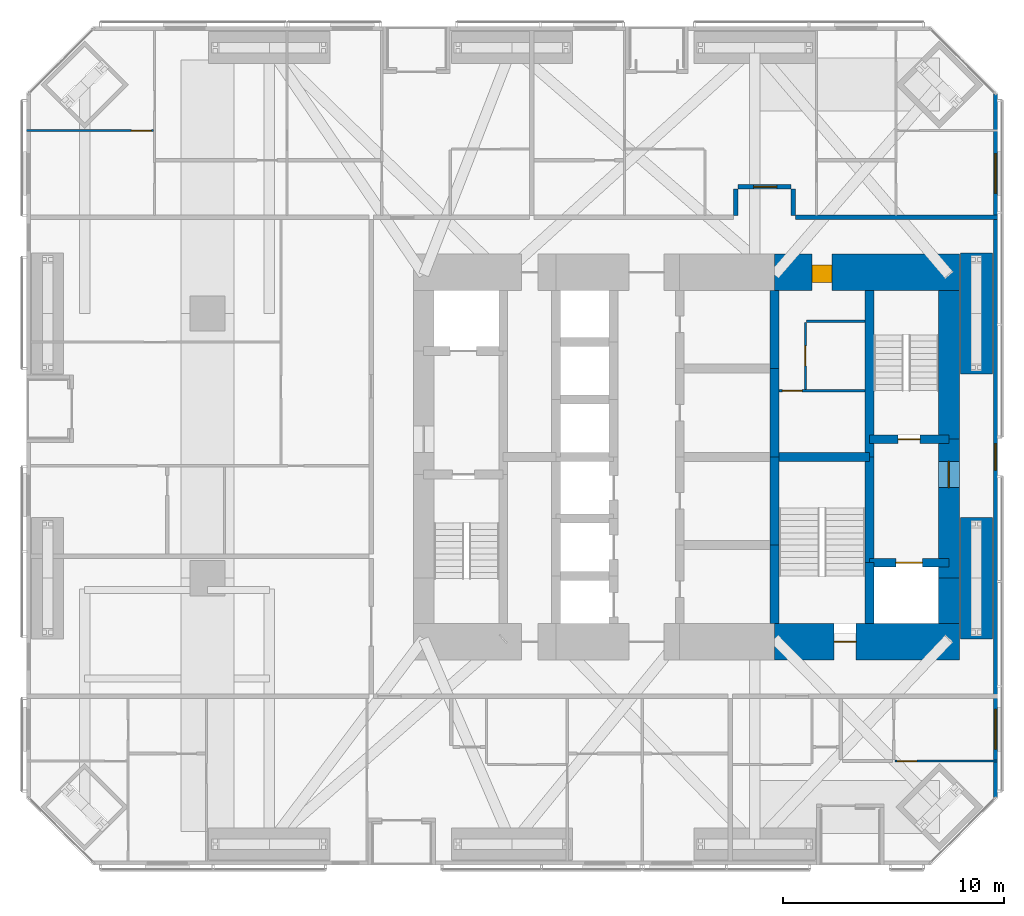
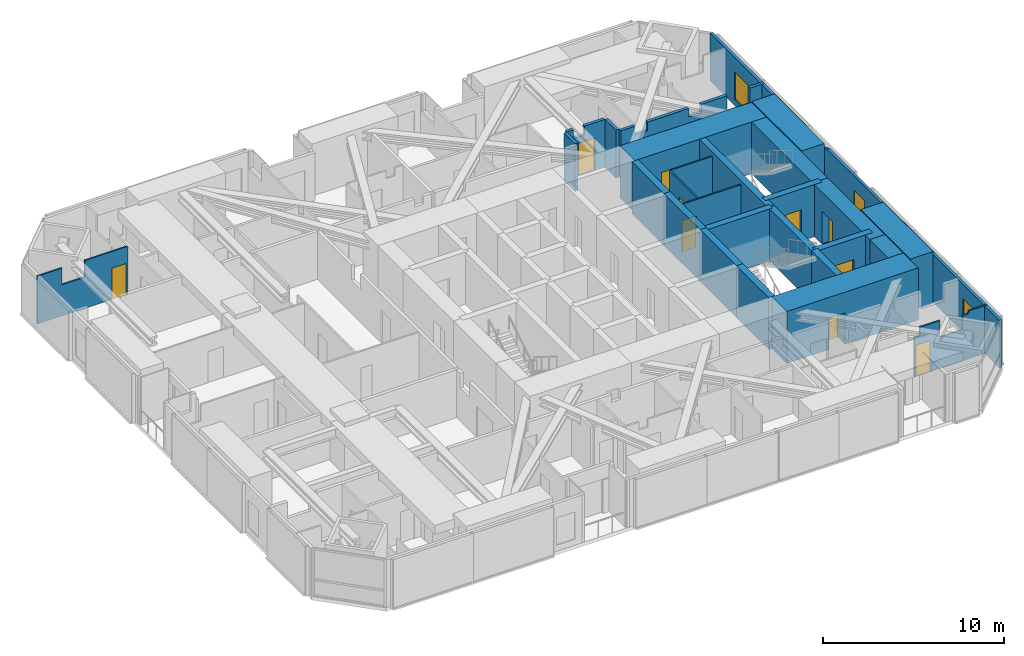
# One storey, part 19 of 22: 27 walls, 10 doors, 3 windows, 13 openings.
"""IFC4 building model written with IfcOpenShell, lengths in metres."""

from ifc_helpers import new_model, si_unit, direction, frame, frame_2d, origin, place, context, subcontext, project, spatial, polyline, rectangle, outline, extrude, material, layer, layer_set, constituent, constituent_set, type_object, element, fill, save


model = new_model("IFC4")

# Units and contexts
model_context = context("Model", 3, precision=1e-05, world=origin(), true_north=direction((0.0, 1.0)))
body_context = subcontext(model_context, "Body", "Model", "MODEL_VIEW")
ifc_project = project(units=[si_unit("LENGTHUNIT", "METRE"), si_unit("AREAUNIT", "SQUARE_METRE"), si_unit("VOLUMEUNIT", "CUBIC_METRE"), si_unit("PLANEANGLEUNIT", "RADIAN"), si_unit("MASSUNIT", "GRAM", prefix="KILO")], contexts=[model_context])

# Site, building, storey
site_placement = place(None, origin())
site = spatial("IfcSite", under=ifc_project, at=site_placement, CompositionType="ELEMENT")
building_placement = place(site_placement, origin())
building = spatial("IfcBuilding", under=site, at=building_placement, Name="Jalousie Tower", CompositionType="ELEMENT")
storey_placement = place(building_placement, frame((0.0, 0.0, 71.25)))
storey = spatial("IfcBuildingStorey", under=building, at=storey_placement, Name="L19", CompositionType="ELEMENT", Elevation=71.25)

# Wall, opening, door
ifc_material_1 = material(Name="Concrete f'c 120 MPa", Category="concrete")
ifc_layer_1 = layer(ifc_material_1, 1.64990234375)
ifc_layer_set_1 = layer_set([ifc_layer_1], Name="Concrete f'c 120 MPa")
wall_type_1 = type_object("IfcWallType", Name="CORE WALL 1650", PredefinedType="SHEAR", material=ifc_layer_set_1)
wall_1_placement = place(storey_placement, frame((35.89990234375, 10.125, 0.0), z_axis=(0.0, 0.0, 1.0), x_axis=(1.0, 0.0, 0.0)))
wall_1 = element("IfcWall", 1, at=wall_1_placement, inside=storey, type_object=wall_type_1, Name="Core wall SD L19", PredefinedType="SHEAR", context=body_context, shape_type="SweptSolid", body=[
    extrude(rectangle(XDim=8.375, YDim=1.64990234375, at=frame_2d((4.1875, 0.0))), origin(), (0.0, 0.0, 1.0), 3.5),
])
opening_1_placement = place(wall_1_placement, frame((2.699951171875, 0.0, 0.0)))
opening_1 = element("IfcOpeningElement", 2, at=opening_1_placement, cuts=wall_1, Name="Opening D10", PredefinedType="OPENING", context=body_context, shape_type="SweptSolid", body=[
    extrude(rectangle(XDim=1.0, YDim=2.10009765625, at=frame_2d((0.5, 1.050048828125))), frame((0.0, 0.8349609375, 0.0), z_axis=(0.0, -1.0, 0.0), x_axis=(1.0, 0.0, 0.0)), (0.0, 0.0, 1.0), 1.669921875),
])
ifc_material_2 = material(Name="Steel fire door", Category="steel")
door_type_1 = type_object("IfcDoorType", Name="STAIR DOOR 1000", OperationType="SINGLE_SWING_LEFT", PredefinedType="DOOR", material=ifc_material_2)
door_1_placement = place(opening_1_placement, origin())
door_1 = element("IfcDoor", 3, at=door_1_placement, inside=storey, type_object=door_type_1, Name="Exit stair C door", OperationType="SINGLE_SWING_RIGHT", OverallHeight=2.10009765625, OverallWidth=1.0, PredefinedType="DOOR", context=body_context, shape_type="SweptSolid", body=[
    extrude(rectangle(XDim=1.0, YDim=2.10009765625, at=frame_2d((0.5, 1.050048828125))), frame((0.0, 0.02490234375, 0.0), z_axis=(0.0, -1.0, 0.0), x_axis=(1.0, 0.0, 0.0)), (0.0, 0.0, 1.0), 0.050048828125),
])
fill(opening_1, door_1)

wall_2_placement = place(storey_placement, frame((44.27490234375, 26.875, 0.0), z_axis=(0.0, 0.0, 1.0), x_axis=(-1.0, 0.0, 0.0)))
wall_2 = element("IfcWall", 4, at=wall_2_placement, inside=storey, type_object=wall_type_1, Name="Core wall NA L19", PredefinedType="SHEAR", context=body_context, shape_type="SweptSolid", body=[
    extrude(rectangle(XDim=8.375, YDim=1.64990234375, at=frame_2d((4.1875, 0.0))), origin(), (0.0, 0.0, 1.0), 3.5),
])
opening_2_placement = place(wall_2_placement, frame((5.77490234375, 0.0, 0.0)))
opening_2 = element("IfcOpeningElement", 5, at=opening_2_placement, cuts=wall_2, Name="Opening D25", PredefinedType="OPENING", context=body_context, shape_type="SweptSolid", body=[
    extrude(rectangle(XDim=0.89990234375, YDim=2.10009765625, at=frame_2d((0.449951171875, 1.050048828125))), frame((0.0, 0.8349609375, 0.0), z_axis=(0.0, -1.0, 0.0), x_axis=(1.0, 0.0, 0.0)), (0.0, 0.0, 1.0), 1.669921875),
])
ifc_material_3 = material(Name="Steel fire door", Category="steel")
door_type_2 = type_object("IfcDoorType", Name="SERVICE LOBBY DOOR 900", OperationType="SINGLE_SWING_LEFT", PredefinedType="DOOR", material=ifc_material_3)
door_2_placement = place(opening_2_placement, origin())
door_2 = element("IfcDoor", 6, at=door_2_placement, inside=storey, type_object=door_type_2, Name="Service lobby door", OperationType="SINGLE_SWING_RIGHT", OverallHeight=2.10009765625, OverallWidth=0.89990234375, PredefinedType="DOOR", context=body_context, shape_type="SweptSolid", body=[
    extrude(rectangle(XDim=0.89990234375, YDim=2.10009765625, at=frame_2d((0.449951171875, 1.050048828125))), frame((0.0, 0.47021484375, 0.0), z_axis=(0.0, -1.0, 0.0), x_axis=(1.0, 0.0, 0.0)), (0.0, 0.0, 1.0), 0.800048828125),
])
fill(opening_2, door_2)

# Walls
ifc_material_4 = material(Name="Concrete f'c 120 MPa", Category="concrete")
ifc_layer_2 = layer(ifc_material_4, 0.39990234375)
ifc_layer_set_2 = layer_set([ifc_layer_2], Name="Concrete f'c 120 MPa")
wall_type_2 = type_object("IfcWallType", Name="CORE WALL 400", PredefinedType="SHEAR", material=ifc_layer_set_2)
wall_3_placement = place(storey_placement, frame((35.89990234375, 10.949951171875, 0.0), z_axis=(0.0, 0.0, 1.0), x_axis=(0.0, 1.0, 0.0)))
element("IfcWall", 7, at=wall_3_placement, inside=storey, type_object=wall_type_2, Name="Core wall X35.9A L19", PredefinedType="SHEAR", context=body_context, shape_type="SweptSolid", body=[
    extrude(rectangle(XDim=3.550048828125, YDim=0.39990234375, at=frame_2d((1.77490234375, 0.0))), origin(), (0.0, 0.0, 1.0), 3.5),
])
for number, where, z_axis, x_axis, name in (
    (8, (35.89990234375, 14.5, 0.0), (0.0, 0.0, 1.0), (0.0, 1.0, 0.0), "Core wall X35.9B L19"),
    (9, (35.89990234375, 18.5, 0.0), (0.0, 0.0, 1.0), (0.0, 1.0, 0.0), "Core wall X35.9C L19"),
):
    element("IfcWall", number, at=place(storey_placement, frame(where, z_axis=z_axis, x_axis=x_axis)), inside=storey, type_object=wall_type_2, Name=name, PredefinedType="SHEAR", context=body_context, shape_type="SweptSolid", body=[
        extrude(rectangle(XDim=4.0, YDim=0.39990234375, at=frame_2d((2.0, 0.0))), origin(), (0.0, 0.0, 1.0), 3.5),
    ])
wall_4_placement = place(storey_placement, frame((35.89990234375, 22.5, 0.0), z_axis=(0.0, 0.0, 1.0), x_axis=(0.0, 1.0, 0.0)))
element("IfcWall", 10, at=wall_4_placement, inside=storey, type_object=wall_type_2, Name="Core wall X35.9D L19", PredefinedType="SHEAR", context=body_context, shape_type="SweptSolid", body=[
    extrude(rectangle(XDim=3.550048828125, YDim=0.39990234375, at=frame_2d((1.77490234375, 0.0))), origin(), (0.0, 0.0, 1.0), 3.5),
])
wall_5_placement = place(storey_placement, frame((40.199951171875, 10.949951171875, 0.0), z_axis=(0.0, 0.0, 1.0), x_axis=(0.0, 1.0, 0.0)))
element("IfcWall", 11, at=wall_5_placement, inside=storey, type_object=wall_type_2, Name="Core wall X40.2A L19", PredefinedType="SHEAR", context=body_context, shape_type="SweptSolid", body=[
    extrude(rectangle(XDim=2.75, YDim=0.39990234375, at=frame_2d((1.375, 0.0))), origin(), (0.0, 0.0, 1.0), 3.5),
])
wall_6_placement = place(storey_placement, frame((40.199951171875, 13.699951171875, 0.0), z_axis=(0.0, 0.0, 1.0), x_axis=(0.0, 1.0, 0.0)))
element("IfcWall", 12, at=wall_6_placement, inside=storey, type_object=wall_type_2, Name="Core wall X40.2B L19", PredefinedType="SHEAR", context=body_context, shape_type="SweptSolid", body=[
    extrude(rectangle(XDim=4.800048828125, YDim=0.39990234375, at=frame_2d((2.39990234375, 0.0))), origin(), (0.0, 0.0, 1.0), 3.5),
])
wall_7_placement = place(storey_placement, frame((40.199951171875, 18.5, 0.0), z_axis=(0.0, 0.0, 1.0), x_axis=(0.0, 1.0, 0.0)))
element("IfcWall", 13, at=wall_7_placement, inside=storey, type_object=wall_type_2, Name="Core wall X40.2C L19", PredefinedType="SHEAR", context=body_context, shape_type="SweptSolid", body=[
    extrude(rectangle(XDim=7.550048828125, YDim=0.39990234375, at=frame_2d((3.77490234375, 0.0))), origin(), (0.0, 0.0, 1.0), 3.5),
])
wall_8_placement = place(storey_placement, frame((35.89990234375, 18.5, 0.0), z_axis=(0.0, 0.0, 1.0), x_axis=(1.0, 0.0, 0.0)))
element("IfcWall", 14, at=wall_8_placement, inside=storey, type_object=wall_type_2, Name="Core wall Y35.9-18.5 L19", PredefinedType="SHEAR", context=body_context, shape_type="SweptSolid", body=[
    extrude(rectangle(XDim=4.300048828125, YDim=0.39990234375, at=frame_2d((2.14990234375, 0.0))), origin(), (0.0, 0.0, 1.0), 3.5),
])

# Wall, opening, door
wall_9_placement = place(storey_placement, frame((40.199951171875, 13.699951171875, 0.0), z_axis=(0.0, 0.0, 1.0), x_axis=(1.0, 0.0, 0.0)))
wall_9 = element("IfcWall", 15, at=wall_9_placement, inside=storey, type_object=wall_type_2, Name="Core wall Y40.2-13.7 L19", PredefinedType="SHEAR", context=body_context, shape_type="SweptSolid", body=[
    extrude(rectangle(XDim=3.60009765625, YDim=0.39990234375, at=frame_2d((1.800048828125, 0.0))), origin(), (0.0, 0.0, 1.0), 3.5),
])
opening_3_placement = place(wall_9_placement, frame((1.199951171875, 0.0, 0.0)))
opening_3 = element("IfcOpeningElement", 16, at=opening_3_placement, cuts=wall_9, Name="Opening LD2", PredefinedType="OPENING", context=body_context, shape_type="SweptSolid", body=[
    extrude(rectangle(XDim=1.199951171875, YDim=2.10009765625, at=frame_2d((0.60009765625, 1.050048828125))), frame((0.0, 0.2099609375, 0.0), z_axis=(0.0, -1.0, 0.0), x_axis=(1.0, 0.0, 0.0)), (0.0, 0.0, 1.0), 0.419921875),
])
ifc_material_5 = material(Name="Steel lift landing door", Category="steel")
door_type_3 = type_object("IfcDoorType", Name="LIFT LANDING DOOR 1200", OperationType="SLIDING_TO_LEFT", PredefinedType="DOOR", material=ifc_material_5)
door_3_placement = place(opening_3_placement, origin())
door_3 = element("IfcDoor", 17, at=door_3_placement, inside=storey, type_object=door_type_3, Name="Lift F2 landing door", OperationType="SLIDING_TO_LEFT", OverallHeight=2.10009765625, OverallWidth=1.199951171875, PredefinedType="DOOR", context=body_context, shape_type="SweptSolid", body=[
    extrude(rectangle(XDim=1.199951171875, YDim=2.10009765625, at=frame_2d((0.60009765625, 1.050048828125))), frame((0.0, 0.02490234375, 0.0), z_axis=(0.0, -1.0, 0.0), x_axis=(1.0, 0.0, 0.0)), (0.0, 0.0, 1.0), 0.050048828125),
])
fill(opening_3, door_3)

wall_10_placement = place(storey_placement, frame((40.199951171875, 19.300048828125, 0.0), z_axis=(0.0, 0.0, 1.0), x_axis=(1.0, 0.0, 0.0)))
wall_10 = element("IfcWall", 18, at=wall_10_placement, inside=storey, type_object=wall_type_2, Name="Core wall Y40.2-19.3 L19", PredefinedType="SHEAR", context=body_context, shape_type="SweptSolid", body=[
    extrude(rectangle(XDim=3.60009765625, YDim=0.39990234375, at=frame_2d((1.800048828125, 0.0))), origin(), (0.0, 0.0, 1.0), 3.5),
])
opening_4_placement = place(wall_10_placement, frame((1.300048828125, 0.0, 0.0)))
opening_4 = element("IfcOpeningElement", 19, at=opening_4_placement, cuts=wall_10, Name="Opening D10", PredefinedType="OPENING", context=body_context, shape_type="SweptSolid", body=[
    extrude(rectangle(XDim=1.0, YDim=2.10009765625, at=frame_2d((0.5, 1.050048828125))), frame((0.0, 0.2099609375, 0.0), z_axis=(0.0, -1.0, 0.0), x_axis=(1.0, 0.0, 0.0)), (0.0, 0.0, 1.0), 0.419921875),
])
door_4_placement = place(opening_4_placement, origin())
door_4 = element("IfcDoor", 20, at=door_4_placement, inside=storey, type_object=door_type_1, Name="Exit stair B door", OperationType="SINGLE_SWING_RIGHT", OverallHeight=2.10009765625, OverallWidth=1.0, PredefinedType="DOOR", context=body_context, shape_type="SweptSolid", body=[
    extrude(rectangle(XDim=1.0, YDim=2.10009765625, at=frame_2d((0.5, 1.050048828125))), frame((0.0, 0.02490234375, 0.0), z_axis=(0.0, -1.0, 0.0), x_axis=(1.0, 0.0, 0.0)), (0.0, 0.0, 1.0), 0.050048828125),
])
fill(opening_4, door_4)

# Wall
ifc_material_6 = material(Name="Concrete f'c 120 MPa", Category="concrete")
ifc_layer_3 = layer(ifc_material_6, 0.949951171875)
ifc_layer_set_3 = layer_set([ifc_layer_3], Name="Concrete f'c 120 MPa")
wall_type_3 = type_object("IfcWallType", Name="CORE WALL 950", PredefinedType="SHEAR", material=ifc_layer_set_3)
wall_11_placement = place(storey_placement, frame((43.800048828125, 10.949951171875, 0.0), z_axis=(0.0, 0.0, 1.0), x_axis=(0.0, 1.0, 0.0)))
element("IfcWall", 21, at=wall_11_placement, inside=storey, type_object=wall_type_3, Name="Core wall EA L19", PredefinedType="SHEAR", context=body_context, shape_type="SweptSolid", body=[
    extrude(rectangle(XDim=2.050048828125, YDim=0.949951171875, at=frame_2d((1.02490234375, 0.0))), origin(), (0.0, 0.0, 1.0), 3.5),
])

# Wall, opening, door
wall_12_placement = place(storey_placement, frame((43.800048828125, 13.0, 0.0), z_axis=(0.0, 0.0, 1.0), x_axis=(0.0, 1.0, 0.0)))
wall_12 = element("IfcWall", 22, at=wall_12_placement, inside=storey, type_object=wall_type_3, Name="Core wall EB L19", PredefinedType="SHEAR", context=body_context, shape_type="SweptSolid", body=[
    extrude(rectangle(XDim=6.300048828125, YDim=0.949951171875, at=frame_2d((3.14990234375, 0.0))), origin(), (0.0, 0.0, 1.0), 3.5),
])
opening_5_placement = place(wall_12_placement, frame((4.10009765625, 0.0, 0.0)))
opening_5 = element("IfcOpeningElement", 23, at=opening_5_placement, cuts=wall_12, Name="Opening D11", PredefinedType="OPENING", context=body_context, shape_type="SweptSolid", body=[
    extrude(rectangle(XDim=1.199951171875, YDim=2.199951171875, at=frame_2d((0.60009765625, 1.10009765625))), frame((0.0, 0.48486328125, 0.0), z_axis=(0.0, -1.0, 0.0), x_axis=(1.0, 0.0, 0.0)), (0.0, 0.0, 1.0), 0.969970703125),
])
ifc_material_7 = material(Name="Steel fire door", Category="steel")
door_type_4 = type_object("IfcDoorType", Name="FIRE DOOR 1200", OperationType="SINGLE_SWING_LEFT", PredefinedType="DOOR", material=ifc_material_7)
door_5_placement = place(opening_5_placement, origin())
door_5 = element("IfcDoor", 24, at=door_5_placement, inside=storey, type_object=door_type_4, Name="Fire-fighting lobby B door", OperationType="SINGLE_SWING_RIGHT", OverallHeight=2.199951171875, OverallWidth=1.199951171875, PredefinedType="DOOR", context=body_context, shape_type="SweptSolid", body=[
    extrude(rectangle(XDim=1.199951171875, YDim=2.199951171875, at=frame_2d((0.60009765625, 1.10009765625))), frame((0.0, 0.02490234375, 0.0), z_axis=(0.0, -1.0, 0.0), x_axis=(1.0, 0.0, 0.0)), (0.0, 0.0, 1.0), 0.050048828125),
])
fill(opening_5, door_5)

# Walls
wall_13_placement = place(storey_placement, frame((43.800048828125, 19.300048828125, 0.0), z_axis=(0.0, 0.0, 1.0), x_axis=(0.0, 1.0, 0.0)))
element("IfcWall", 25, at=wall_13_placement, inside=storey, type_object=wall_type_3, Name="Core wall EC L19", PredefinedType="SHEAR", context=body_context, shape_type="SweptSolid", body=[
    extrude(rectangle(XDim=6.75, YDim=0.949951171875, at=frame_2d((3.375, 0.0))), origin(), (0.0, 0.0, 1.0), 3.5),
])
ifc_material_8 = material(Name="Concrete block ASTM C90", Category="concrete")
ifc_constituent_1 = constituent(ifc_material_8, Name="Body")
ifc_material_9 = material(Name="Render")
ifc_constituent_2 = constituent(ifc_material_9, Name="Finish")
ifc_constituent_set_1 = constituent_set(constituents=[ifc_constituent_1, ifc_constituent_2])
wall_type_4 = type_object("IfcWallType", Name="CORRIDOR WALL 200", PredefinedType="PARTITIONING", material=ifc_constituent_set_1)
wall_14_placement = place(storey_placement, frame((36.85009765625, 29.35009765625, 0.0), z_axis=(0.0, 0.0, 1.0), x_axis=(1.0, 0.0, 0.0)))
element("IfcWall", 26, at=wall_14_placement, inside=storey, type_object=wall_type_4, Name="Corridor Wall 200 L19", PredefinedType="PARTITIONING", context=body_context, shape_type="SweptSolid", body=[
    extrude(outline(polyline([(0.0, 0.0), (9.14990234375, 0.0), (9.14990234375, 3.219970703125), (8.219970703125, 3.219970703125), (8.219970703125, 2.10009765625), (6.769287109375, 2.10009765625), (6.769287109375, 3.219970703125), (5.124755859375, 3.219970703125), (5.124755859375, 2.640869140625), (4.33251953125, 2.640869140625), (4.33251953125, 3.219970703125), (1.702392578125, 3.219970703125), (1.702392578125, 2.640869140625), (0.90380859375, 2.640869140625), (0.90380859375, 3.219970703125), (0.0, 3.219970703125), (0.0, 0.0)])), frame((0.0, 0.10009765625, 0.0), z_axis=(0.0, -1.0, 0.0), x_axis=(1.0, 0.0, 0.0)), (0.0, 0.0, 1.0), 0.199951171875),
])

# Wall, opening, door
wall_15_placement = place(storey_placement, frame((34.25, 30.75, 0.0), z_axis=(0.0, 0.0, 1.0), x_axis=(1.0, 0.0, 0.0)))
wall_15 = element("IfcWall", 27, at=wall_15_placement, inside=storey, type_object=wall_type_4, Name="Corridor Wall 200 L19", PredefinedType="PARTITIONING", context=body_context, shape_type="SweptSolid", body=[
    extrude(outline(polyline([(0.0, 0.0), (2.39990234375, 0.0), (2.39990234375, 3.219970703125), (1.098876953125, 3.219970703125), (1.098876953125, 2.62060546875), (0.401123046875, 2.62060546875), (0.401123046875, 3.219970703125), (0.0, 3.219970703125), (0.0, 0.0)])), frame((0.0, 0.10009765625, 0.0), z_axis=(0.0, -1.0, 0.0), x_axis=(1.0, 0.0, 0.0)), (0.0, 0.0, 1.0), 0.199951171875),
])
opening_6_placement = place(wall_15_placement, frame((0.699951171875, 0.0, 0.0)))
opening_6 = element("IfcOpeningElement", 28, at=opening_6_placement, cuts=wall_15, Name="Opening D1", PredefinedType="OPENING", context=body_context, shape_type="SweptSolid", body=[
    extrude(rectangle(XDim=1.050048828125, YDim=2.199951171875, at=frame_2d((0.52490234375, 1.10009765625))), frame((0.0, 0.10986328125, 0.0), z_axis=(0.0, -1.0, 0.0), x_axis=(1.0, 0.0, 0.0)), (0.0, 0.0, 1.0), 0.219970703125),
])
ifc_material_10 = material(Name="Timber fire door", Category="wood")
door_type_5 = type_object("IfcDoorType", Name="APARTMENT ENTRANCE DOOR 1050", OperationType="SINGLE_SWING_LEFT", PredefinedType="DOOR", material=ifc_material_10)
door_6_placement = place(opening_6_placement, origin())
door_6 = element("IfcDoor", 29, at=door_6_placement, inside=storey, type_object=door_type_5, Name="Apartment 1904 entrance", OperationType="SINGLE_SWING_RIGHT", OverallHeight=2.199951171875, OverallWidth=1.050048828125, PredefinedType="DOOR", context=body_context, shape_type="SweptSolid", body=[
    extrude(rectangle(XDim=1.050048828125, YDim=2.199951171875, at=frame_2d((0.52490234375, 1.10009765625))), frame((0.0, 0.02490234375, 0.0), z_axis=(0.0, -1.0, 0.0), x_axis=(1.0, 0.0, 0.0)), (0.0, 0.0, 1.0), 0.050048828125),
])
fill(opening_6, door_6)

# Walls
for number, where, z_axis, x_axis, name in (
    (30, (34.14990234375, 29.449951171875, 0.0), (0.0, 0.0, 1.0), (0.0, 1.0, 0.0), "Corridor Wall 200 L19"),
    (31, (36.75, 29.449951171875, 0.0), (0.0, 0.0, 1.0), (0.0, 1.0, 0.0), "Corridor Wall 200 L19"),
):
    element("IfcWall", number, at=place(storey_placement, frame(where, z_axis=z_axis, x_axis=x_axis)), inside=storey, type_object=wall_type_4, Name=name, PredefinedType="PARTITIONING", context=body_context, shape_type="SweptSolid", body=[
        extrude(rectangle(XDim=1.199951171875, YDim=0.199951171875, at=frame_2d((0.60009765625, 0.0))), origin(), (0.0, 0.0, 1.0), 3.219970703125),
    ])

# Wall, openings, windows
ifc_material_11 = material(Name="Concrete f'c 40 MPa", Category="concrete")
ifc_constituent_3 = constituent(ifc_material_11, Name="Body")
ifc_material_12 = material(Name="Render, pastel coral")
ifc_constituent_4 = constituent(ifc_material_12, Name="Finish")
ifc_constituent_set_2 = constituent_set(constituents=[ifc_constituent_3, ifc_constituent_4])
wall_type_5 = type_object("IfcWallType", Name="EXTERNAL WALL 175 CORAL RENDER", PredefinedType="SOLIDWALL", material=ifc_constituent_set_2)
wall_16_placement = place(storey_placement, frame((45.91259765625, 3.05126953125, 0.0), z_axis=(0.0, 0.0, 1.0), x_axis=(0.0, 1.0, 0.0)))
wall_16 = element("IfcWall", 32, at=wall_16_placement, inside=storey, type_object=wall_type_5, Name="External Wall 175 Coral Render L19", PredefinedType="SOLIDWALL", context=body_context, shape_type="SweptSolid", body=[
    extrude(outline(polyline([(0.0, 0.0), (31.8974609375, 0.0), (31.8974609375, 3.219970703125), (21.4951171875, 3.219970703125), (21.4951171875, 2.25634765625), (18.9931640625, 3.219970703125), (0.0, 3.219970703125), (0.0, 0.0)])), frame((0.0, 0.08740234375, 0.0), z_axis=(0.0, -1.0, 0.0), x_axis=(1.0, 0.0, 0.0)), (0.0, 0.0, 1.0), 0.175048828125),
])
opening_7_placement = place(wall_16_placement, frame((2.204345703125, 0.0, 0.39990234375)))
opening_7 = element("IfcOpeningElement", 33, at=opening_7_placement, cuts=wall_16, Name="Opening W-BED185", PredefinedType="OPENING", context=body_context, shape_type="SweptSolid", body=[
    extrude(rectangle(XDim=1.800048828125, YDim=1.85009765625, at=frame_2d((0.89990234375, 0.925048828125))), frame((0.0, 0.097412109375, 0.0), z_axis=(0.0, -1.0, 0.0), x_axis=(1.0, 0.0, 0.0)), (0.0, 0.0, 1.0), 0.195068359375),
])
opening_8_placement = place(wall_16_placement, frame((14.8486328125, 0.0, 0.39990234375)))
opening_8 = element("IfcOpeningElement", 34, at=opening_8_placement, cuts=wall_16, Name="Opening W-COR185", PredefinedType="OPENING", context=body_context, shape_type="SweptSolid", body=[
    extrude(rectangle(XDim=1.199951171875, YDim=1.85009765625, at=frame_2d((0.60009765625, 0.925048828125))), frame((0.0, 0.097412109375, 0.0), z_axis=(0.0, -1.0, 0.0), x_axis=(1.0, 0.0, 0.0)), (0.0, 0.0, 1.0), 0.195068359375),
])
opening_9_placement = place(wall_16_placement, frame((27.39306640625, 0.0, 0.39990234375)))
opening_9 = element("IfcOpeningElement", 35, at=opening_9_placement, cuts=wall_16, Name="Opening W-BED185", PredefinedType="OPENING", context=body_context, shape_type="SweptSolid", body=[
    extrude(rectangle(XDim=1.800048828125, YDim=1.85009765625, at=frame_2d((0.89990234375, 0.925048828125))), frame((0.0, 0.097412109375, 0.0), z_axis=(0.0, -1.0, 0.0), x_axis=(1.0, 0.0, 0.0)), (0.0, 0.0, 1.0), 0.195068359375),
])
ifc_material_13 = material(Name="Aluminium frame, impact-rated glazing", Category="aluminium")
window_type_1 = type_object("IfcWindowType", Name="WINDOW BED 1800x1850", PartitioningType="SINGLE_PANEL", PredefinedType="WINDOW", material=ifc_material_13)
window_1_placement = place(opening_7_placement, origin())
window_1 = element("IfcWindow", 36, at=window_1_placement, inside=storey, type_object=window_type_1, Name="Apartment 1902 bedroom 1 window", OverallHeight=1.85009765625, OverallWidth=1.800048828125, PartitioningType="SINGLE_PANEL", PredefinedType="WINDOW", context=body_context, shape_type="SweptSolid", body=[
    extrude(rectangle(XDim=1.800048828125, YDim=1.85009765625, at=frame_2d((0.89990234375, 0.925048828125))), frame((0.0, 0.030029296875, 0.0), z_axis=(0.0, -1.0, 0.0), x_axis=(1.0, 0.0, 0.0)), (0.0, 0.0, 1.0), 0.06005859375),
])
fill(opening_7, window_1)
window_2_placement = place(opening_9_placement, origin())
window_2 = element("IfcWindow", 37, at=window_2_placement, inside=storey, type_object=window_type_1, Name="Apartment 1904 bedroom 3 window", OverallHeight=1.85009765625, OverallWidth=1.800048828125, PartitioningType="SINGLE_PANEL", PredefinedType="WINDOW", context=body_context, shape_type="SweptSolid", body=[
    extrude(rectangle(XDim=1.800048828125, YDim=1.85009765625, at=frame_2d((0.89990234375, 0.925048828125))), frame((0.0, 0.030029296875, 0.0), z_axis=(0.0, -1.0, 0.0), x_axis=(1.0, 0.0, 0.0)), (0.0, 0.0, 1.0), 0.06005859375),
])
fill(opening_9, window_2)
ifc_material_14 = material(Name="Aluminium frame, impact-rated glazing", Category="aluminium")
window_type_2 = type_object("IfcWindowType", Name="WINDOW COR 1200x1850", PartitioningType="SINGLE_PANEL", PredefinedType="WINDOW", material=ifc_material_14)
window_3_placement = place(opening_8_placement, origin())
window_3 = element("IfcWindow", 38, at=window_3_placement, inside=storey, type_object=window_type_2, Name="Corridor window", OverallHeight=1.85009765625, OverallWidth=1.199951171875, PartitioningType="SINGLE_PANEL", PredefinedType="WINDOW", context=body_context, shape_type="SweptSolid", body=[
    extrude(rectangle(XDim=1.199951171875, YDim=1.85009765625, at=frame_2d((0.60009765625, 0.925048828125))), frame((0.0, 0.030029296875, 0.0), z_axis=(0.0, -1.0, 0.0), x_axis=(1.0, 0.0, 0.0)), (0.0, 0.0, 1.0), 0.06005859375),
])
fill(opening_8, window_3)

# Wall, opening, door
ifc_material_15 = material(Name="Gypsum board", Category="gypsum")
ifc_constituent_5 = constituent(ifc_material_15, Name="Body")
ifc_material_16 = material(Name="Light-gauge steel studs ASTM A653 SS Grade 33", Category="steel")
ifc_constituent_6 = constituent(ifc_material_16, Name="Framing")
ifc_constituent_set_3 = constituent_set(constituents=[ifc_constituent_5, ifc_constituent_6])
wall_type_6 = type_object("IfcWallType", Name="PARTITION 100", PredefinedType="PARTITIONING", material=ifc_constituent_set_3)
wall_17_placement = place(storey_placement, frame((41.35009765625, 4.711181640625, 0.0), z_axis=(0.0, 0.0, 1.0), x_axis=(1.0, 0.0, 0.0)))
wall_17 = element("IfcWall", 39, at=wall_17_placement, inside=storey, type_object=wall_type_6, Name="Partition 100 L19", PredefinedType="PARTITIONING", context=body_context, shape_type="SweptSolid", body=[
    extrude(outline(polyline([(0.0, 0.0), (4.64990234375, 0.0), (4.64990234375, 3.219970703125), (3.470703125, 3.219970703125), (3.470703125, 3.10400390625), (3.433349609375, 3.05224609375), (3.072998046875, 3.00341796875), (3.072998046875, 2.10009765625), (1.638671875, 2.10009765625), (1.638671875, 3.219970703125), (0.359375, 3.219970703125), (0.359375, 2.640869140625), (0.0, 2.640869140625), (0.0, 0.0)])), frame((0.0, 0.050048828125, 0.0), z_axis=(0.0, -1.0, 0.0), x_axis=(1.0, 0.0, 0.0)), (0.0, 0.0, 1.0), 0.10009765625),
])
opening_10_placement = place(wall_17_placement, frame((0.10009765625, 0.0, 0.0)))
opening_10 = element("IfcOpeningElement", 40, at=opening_10_placement, cuts=wall_17, Name="Opening D2", PredefinedType="OPENING", context=body_context, shape_type="SweptSolid", body=[
    extrude(rectangle(XDim=0.89990234375, YDim=2.10009765625, at=frame_2d((0.449951171875, 1.050048828125))), frame((0.0, 0.06005859375, 0.0), z_axis=(0.0, -1.0, 0.0), x_axis=(1.0, 0.0, 0.0)), (0.0, 0.0, 1.0), 0.1201171875),
])
ifc_material_17 = material(Name="Timber door", Category="wood")
door_type_6 = type_object("IfcDoorType", Name="BEDROOM DOOR 900", OperationType="SINGLE_SWING_LEFT", PredefinedType="DOOR", material=ifc_material_17)
door_7_placement = place(opening_10_placement, origin())
door_7 = element("IfcDoor", 41, at=door_7_placement, inside=storey, type_object=door_type_6, Name="Apartment 1902 bedroom 1 door", OperationType="SINGLE_SWING_LEFT", OverallHeight=2.10009765625, OverallWidth=0.89990234375, PredefinedType="DOOR", context=body_context, shape_type="SweptSolid", body=[
    extrude(rectangle(XDim=0.89990234375, YDim=2.10009765625, at=frame_2d((0.449951171875, 1.050048828125))), frame((0.0, 0.02490234375, 0.0), z_axis=(0.0, -1.0, 0.0), x_axis=(1.0, 0.0, 0.0)), (0.0, 0.0, 1.0), 0.050048828125),
])
fill(opening_10, door_7)

wall_18_placement = place(storey_placement, frame((2.0, 33.288818359375, 0.0), z_axis=(0.0, 0.0, 1.0), x_axis=(1.0, 0.0, 0.0)))
wall_18 = element("IfcWall", 42, at=wall_18_placement, inside=storey, type_object=wall_type_6, Name="Partition 100 L19", PredefinedType="PARTITIONING", context=body_context, shape_type="SweptSolid", body=[
    extrude(outline(polyline([(0.0, 0.0), (5.75, 0.0), (5.75, 3.219970703125), (3.011474609375, 3.219970703125), (3.011474609375, 2.10009765625), (1.576904296875, 2.10009765625), (1.576904296875, 3.219970703125), (0.0, 3.219970703125), (0.0, 0.0)])), frame((0.0, 0.050048828125, 0.0), z_axis=(0.0, -1.0, 0.0), x_axis=(1.0, 0.0, 0.0)), (0.0, 0.0, 1.0), 0.10009765625),
])
opening_11_placement = place(wall_18_placement, frame((4.75, 0.0, 0.0)))
opening_11 = element("IfcOpeningElement", 43, at=opening_11_placement, cuts=wall_18, Name="Opening D7", PredefinedType="OPENING", context=body_context, shape_type="SweptSolid", body=[
    extrude(rectangle(XDim=0.89990234375, YDim=2.10009765625, at=frame_2d((0.449951171875, 1.050048828125))), frame((0.0, 0.06005859375, 0.0), z_axis=(0.0, -1.0, 0.0), x_axis=(1.0, 0.0, 0.0)), (0.0, 0.0, 1.0), 0.1201171875),
])
ifc_material_18 = material(Name="Timber door", Category="wood")
door_type_7 = type_object("IfcDoorType", Name="INTERNAL DOOR 900", OperationType="SINGLE_SWING_LEFT", PredefinedType="DOOR", material=ifc_material_18)
door_8_placement = place(opening_11_placement, frame((0.89990234375, 0.0, 0.0), z_axis=(0.0, 0.0, 1.0), x_axis=(-1.0, 0.0, 0.0)))
door_8 = element("IfcDoor", 44, at=door_8_placement, inside=storey, type_object=door_type_7, Name="Apartment 1903 bedroom 1 dressing hall door", OperationType="SINGLE_SWING_LEFT", OverallHeight=2.10009765625, OverallWidth=0.89990234375, PredefinedType="DOOR", context=body_context, shape_type="SweptSolid", body=[
    extrude(rectangle(XDim=0.89990234375, YDim=2.10009765625, at=frame_2d((0.449951171875, 1.050048828125))), frame((0.0, 0.02490234375, 0.0), z_axis=(0.0, -1.0, 0.0), x_axis=(1.0, 0.0, 0.0)), (0.0, 0.0, 1.0), 0.050048828125),
])
fill(opening_11, door_8)

# Wall
wall_19_placement = place(storey_placement, frame((37.35009765625, 24.64990234375, 0.0), z_axis=(0.0, 0.0, 1.0), x_axis=(1.0, 0.0, 0.0)))
element("IfcWall", 45, at=wall_19_placement, inside=storey, type_object=wall_type_6, Name="Partition 100 L19", PredefinedType="PARTITIONING", context=body_context, shape_type="SweptSolid", body=[
    extrude(rectangle(XDim=2.64990234375, YDim=0.10009765625, at=frame_2d((1.324951171875, 0.0))), origin(), (0.0, 0.0, 1.0), 3.219970703125),
])

# Wall, opening, door
wall_20_placement = place(storey_placement, frame((37.300048828125, 21.550048828125, 0.0), z_axis=(0.0, 0.0, 1.0), x_axis=(0.0, 1.0, 0.0)))
wall_20 = element("IfcWall", 46, at=wall_20_placement, inside=storey, type_object=wall_type_6, Name="Partition 100 L19", PredefinedType="PARTITIONING", context=body_context, shape_type="SweptSolid", body=[
    extrude(rectangle(XDim=3.050048828125, YDim=0.10009765625, at=frame_2d((1.52490234375, 0.0))), origin(), (0.0, 0.0, 1.0), 3.219970703125),
])
opening_12_placement = place(wall_20_placement, frame((1.074951171875, 0.0, 0.0)))
opening_12 = element("IfcOpeningElement", 47, at=opening_12_placement, cuts=wall_20, Name="Opening D7", PredefinedType="OPENING", context=body_context, shape_type="SweptSolid", body=[
    extrude(rectangle(XDim=0.89990234375, YDim=2.10009765625, at=frame_2d((0.449951171875, 1.050048828125))), frame((0.0, 0.06005859375, 0.0), z_axis=(0.0, -1.0, 0.0), x_axis=(1.0, 0.0, 0.0)), (0.0, 0.0, 1.0), 0.1201171875),
])
door_9_placement = place(opening_12_placement, frame((0.89990234375, 0.0, 0.0), z_axis=(0.0, 0.0, 1.0), x_axis=(-1.0, 0.0, 0.0)))
door_9 = element("IfcDoor", 48, at=door_9_placement, inside=storey, type_object=door_type_7, Name="Ice and vending room door", OperationType="SINGLE_SWING_LEFT", OverallHeight=2.10009765625, OverallWidth=0.89990234375, PredefinedType="DOOR", context=body_context, shape_type="SweptSolid", body=[
    extrude(rectangle(XDim=0.89990234375, YDim=2.10009765625, at=frame_2d((0.449951171875, 1.050048828125))), frame((0.0, 0.02490234375, 0.0), z_axis=(0.0, -1.0, 0.0), x_axis=(1.0, 0.0, 0.0)), (0.0, 0.0, 1.0), 0.050048828125),
])
fill(opening_12, door_9)

wall_21_placement = place(storey_placement, frame((36.10009765625, 21.5, 0.0), z_axis=(0.0, 0.0, 1.0), x_axis=(1.0, 0.0, 0.0)))
wall_21 = element("IfcWall", 49, at=wall_21_placement, inside=storey, type_object=wall_type_6, Name="Partition 100 L19", PredefinedType="PARTITIONING", context=body_context, shape_type="SweptSolid", body=[
    extrude(rectangle(XDim=3.89990234375, YDim=0.10009765625, at=frame_2d((1.949951171875, 0.0))), origin(), (0.0, 0.0, 1.0), 3.219970703125),
])
opening_13_placement = place(wall_21_placement, frame((0.14990234375, 0.0, 0.0)))
opening_13 = element("IfcOpeningElement", 50, at=opening_13_placement, cuts=wall_21, Name="Opening D7", PredefinedType="OPENING", context=body_context, shape_type="SweptSolid", body=[
    extrude(rectangle(XDim=0.89990234375, YDim=2.10009765625, at=frame_2d((0.449951171875, 1.050048828125))), frame((0.0, 0.06005859375, 0.0), z_axis=(0.0, -1.0, 0.0), x_axis=(1.0, 0.0, 0.0)), (0.0, 0.0, 1.0), 0.1201171875),
])
door_10_placement = place(opening_13_placement, frame((0.89990234375, 0.0, 0.0), z_axis=(0.0, 0.0, 1.0), x_axis=(-1.0, 0.0, 0.0)))
door_10 = element("IfcDoor", 51, at=door_10_placement, inside=storey, type_object=door_type_7, Name="Linen store door", OperationType="SINGLE_SWING_RIGHT", OverallHeight=2.10009765625, OverallWidth=0.89990234375, PredefinedType="DOOR", context=body_context, shape_type="SweptSolid", body=[
    extrude(rectangle(XDim=0.89990234375, YDim=2.10009765625, at=frame_2d((0.449951171875, 1.050048828125))), frame((0.0, 0.02490234375, 0.0), z_axis=(0.0, -1.0, 0.0), x_axis=(1.0, 0.0, 0.0)), (0.0, 0.0, 1.0), 0.050048828125),
])
fill(opening_13, door_10)

# Walls
ifc_material_19 = material(Name="Concrete f'c 120 MPa", Category="concrete")
ifc_layer_4 = layer(ifc_material_19, 1.449951171875)
ifc_layer_set_4 = layer_set([ifc_layer_4], Name="Concrete f'c 120 MPa")
wall_type_7 = type_object("IfcWallType", Name="RC WALL PIER 1450", PredefinedType="SHEAR", material=ifc_layer_set_4)
for number, where, z_axis, x_axis, name in (
    (52, (45.050048828125, 10.25, 0.0), (0.0, 0.0, 1.0), (0.0, 1.0, 0.0), "Wall pier 06 L19"),
    (53, (45.050048828125, 22.25, 0.0), (0.0, 0.0, 1.0), (0.0, 1.0, 0.0), "Wall pier 07 L19"),
):
    element("IfcWall", number, at=place(storey_placement, frame(where, z_axis=z_axis, x_axis=x_axis)), inside=storey, type_object=wall_type_7, Name=name, PredefinedType="SHEAR", context=body_context, shape_type="SweptSolid", body=[
        extrude(rectangle(XDim=5.5, YDim=1.449951171875, at=frame_2d((2.75, 0.0))), origin(), (0.0, 0.0, 1.0), 3.5),
    ])

save(model, "model.ifc")
